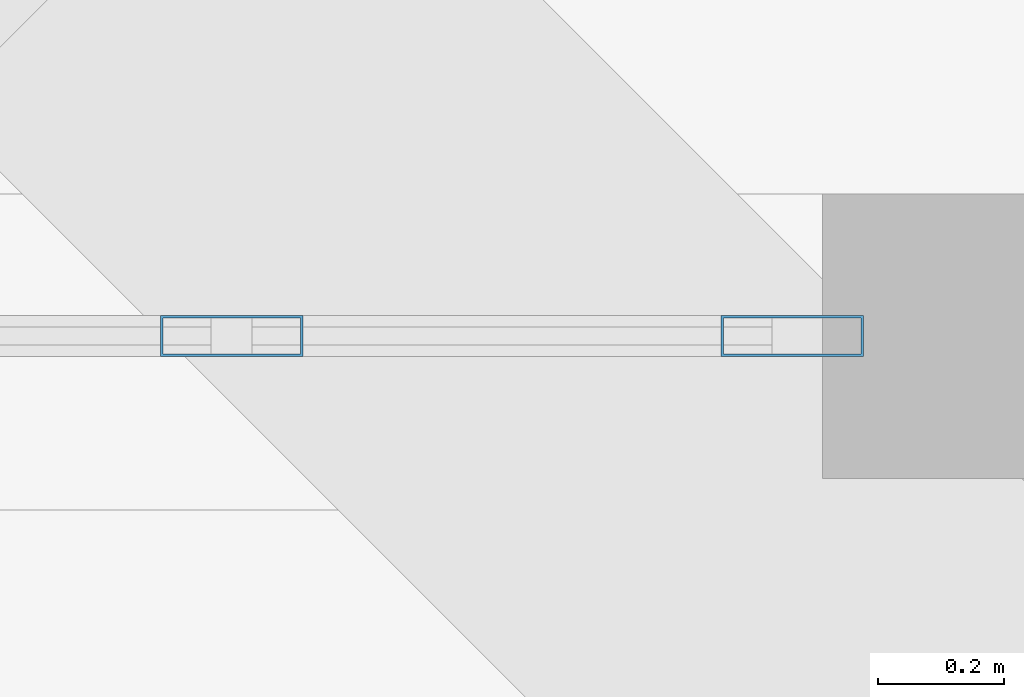
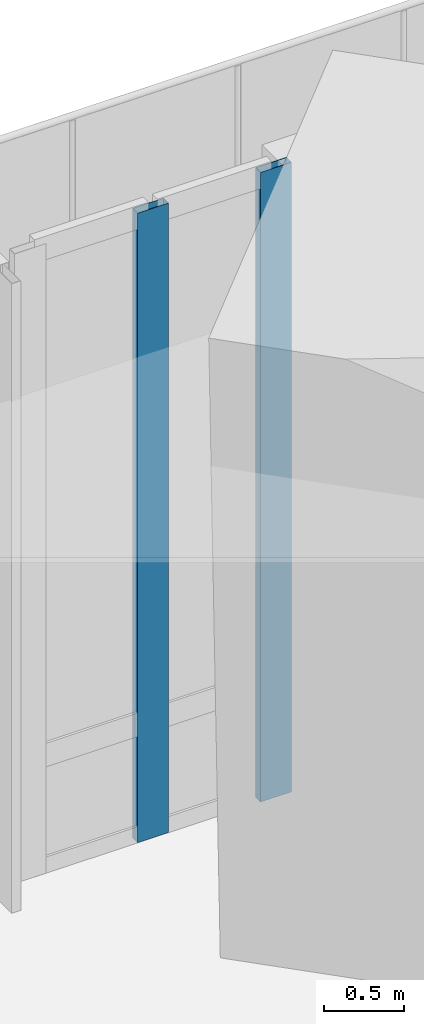
# One storey, part 11 of 26: 2 members, 1 element without a shape of its own.
"""IFC4 building model written with IfcOpenShell, lengths in metres."""

from ifc_helpers import new_model, si_unit, direction, frame, origin, origin_2d, place, context, subcontext, project, spatial, hollow_rectangle, extrude, material, material_profile, profile_set, type_object, element, aggregate, save


model = new_model("IFC4")

# Units and contexts
model_context = context("Model", 3, precision=1e-05, world=origin(), true_north=direction((0.0, 1.0)))
body_context = subcontext(model_context, "Body", "Model", "MODEL_VIEW")
ifc_project = project(units=[si_unit("LENGTHUNIT", "METRE"), si_unit("AREAUNIT", "SQUARE_METRE"), si_unit("VOLUMEUNIT", "CUBIC_METRE"), si_unit("PLANEANGLEUNIT", "RADIAN"), si_unit("MASSUNIT", "GRAM", prefix="KILO")], contexts=[model_context])

# Site, building, storey
site_placement = place(None, origin())
site = spatial("IfcSite", under=ifc_project, at=site_placement, CompositionType="ELEMENT")
building_placement = place(site_placement, origin())
building = spatial("IfcBuilding", under=site, at=building_placement, Name="Peilmerk Tower", CompositionType="ELEMENT")
storey_placement = place(building_placement, frame((0.0, 0.0, 16.0)))
storey = spatial("IfcBuildingStorey", under=building, at=storey_placement, Name="L03", CompositionType="ELEMENT", Elevation=16.0)

# Curtain wall, members
ifc_material_1 = material(Name="Aluminium stick curtain wall", Category="aluminium")
curtain_wall_type = type_object("IfcCurtainWallType", Name="CW1 stick curtain wall, 1500 module", PredefinedType="NOTDEFINED", material=ifc_material_1)
curtain_wall_placement = place(storey_placement, origin())
curtain_wall = element("IfcCurtainWall", 1, at=curtain_wall_placement, inside=storey, type_object=curtain_wall_type, Name="Curtain wall CW1 NEB L03", PredefinedType="NOTDEFINED")
ifc_material_2 = material(Name="Aluminium EN AW-6063 T6", Category="aluminium")
ifc_material_profile = material_profile(ifc_material_2, hollow_rectangle(XDim=0.06494140625, YDim=0.22509765625, WallThickness=0.00390625, at=origin_2d()), Name="AL 225x65x4")
ifc_profile_set = profile_set([ifc_material_profile], Name="Aluminium EN AW-6063 T6")
member_type = type_object("IfcMemberType", Name="CW1-M AL 225x65x4 mullion", PredefinedType="MULLION", material=ifc_profile_set)
member_1_placement = place(storey_placement, frame((28.41943359375, 27.27490234375, 0.0), z_axis=(0.0, 0.0, 1.0), x_axis=(0.0, 1.0, 0.0)))
member_1 = element("IfcMember", 2, at=member_1_placement, type_object=member_type, Name="CW1 mullion 2", PredefinedType="MULLION", context=body_context, shape_type="SweptSolid", body=[
    extrude(hollow_rectangle(XDim=0.06494140625, YDim=0.22509765625, WallThickness=0.00390625, at=origin_2d()), origin(), (0.0, 0.0, 1.0), 4.800048828125),
])
member_2_placement = place(storey_placement, frame((29.30615234375, 27.27490234375, 0.0), z_axis=(0.0, 0.0, 1.0), x_axis=(0.0, 1.0, 0.0)))
member_2 = element("IfcMember", 3, at=member_2_placement, type_object=member_type, Name="CW1 mullion 3", PredefinedType="MULLION", context=body_context, shape_type="SweptSolid", body=[
    extrude(hollow_rectangle(XDim=0.06494140625, YDim=0.22509765625, WallThickness=0.00390625, at=origin_2d()), origin(), (0.0, 0.0, 1.0), 4.800048828125),
])
aggregate(curtain_wall, [member_1, member_2])

save(model, "model.ifc")
